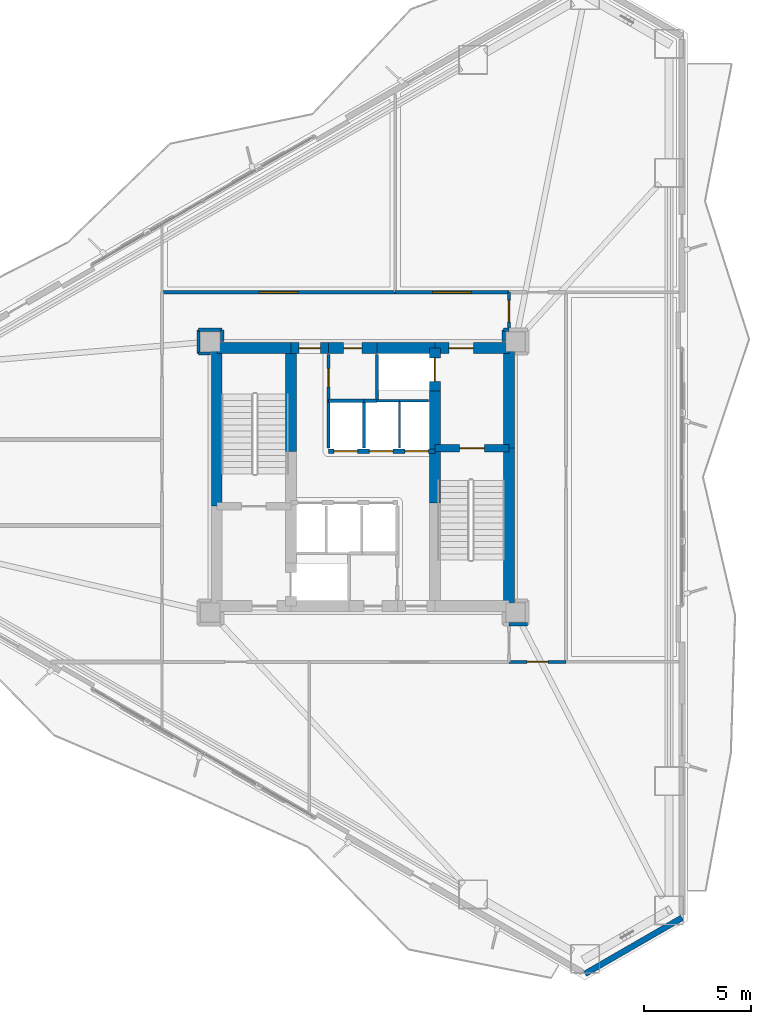
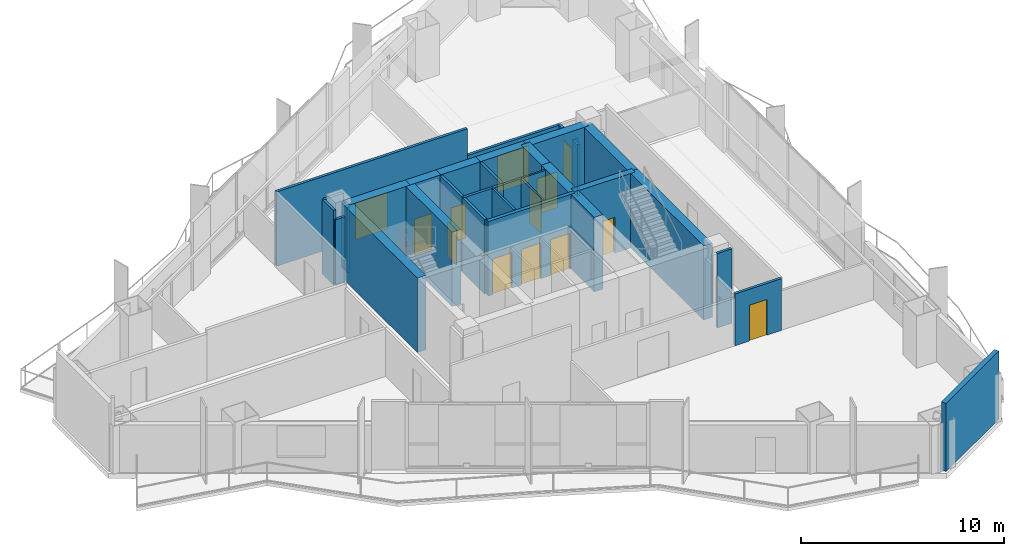
# One storey, part 13 of 16: 35 walls, 13 doors, 13 openings.
"""IFC4 building model written with IfcOpenShell, lengths in metres."""

from ifc_helpers import new_model, si_unit, direction, frame, frame_2d, origin, place, context, subcontext, project, spatial, rectangle, extrude, material, layer, layer_set, type_object, element, fill, save


model = new_model("IFC4")

# Units and contexts
model_context = context("Model", 3, precision=1e-05, world=origin(), true_north=direction((0.0, 1.0)))
body_context = subcontext(model_context, "Body", "Model", "MODEL_VIEW")
ifc_project = project(units=[si_unit("LENGTHUNIT", "METRE"), si_unit("AREAUNIT", "SQUARE_METRE"), si_unit("VOLUMEUNIT", "CUBIC_METRE"), si_unit("PLANEANGLEUNIT", "RADIAN"), si_unit("MASSUNIT", "GRAM", prefix="KILO")], contexts=[model_context])

# Site, building, storey
site_placement = place(None, origin())
site = spatial("IfcSite", under=ifc_project, at=site_placement, CompositionType="ELEMENT")
building_placement = place(site_placement, origin())
building = spatial("IfcBuilding", under=site, at=building_placement, Name="Mersakhor Tower and Convention Hall", CompositionType="ELEMENT")
storey_placement = place(building_placement, frame((0.0, 0.0, 62.10009765625)))
storey = spatial("IfcBuildingStorey", under=building, at=storey_placement, Name="L17", CompositionType="ELEMENT", Elevation=62.10009765625)

# Walls
ifc_material_1 = material(Name="Precast concrete C45/55", Category="concrete")
ifc_layer_1 = layer(ifc_material_1, 0.27490234375)
ifc_layer_set_1 = layer_set([ifc_layer_1], Name="Precast concrete C45/55")
wall_type_1 = type_object("IfcWallType", Name="WL-EXT-275", PredefinedType="SOLIDWALL", material=ifc_layer_set_1)
wall_1_placement = place(storey_placement, frame((43.85009765625, 6.240234375, 0.0), z_axis=(0.0, 0.0, 1.0), x_axis=(-0.866043601342, -0.499968479581, 0.0)))
element("IfcWall", 1, at=wall_1_placement, inside=storey, type_object=wall_type_1, Name="L17 Chamfer Braced Spandrel Wall C2", PredefinedType="SOLIDWALL", context=body_context, shape_type="SweptSolid", body=[
    extrude(rectangle(XDim=5.211181640625, YDim=0.27490234375, at=frame_2d((2.60546875, 0.0))), origin(), (0.0, 0.0, 1.0), 4.099853515625),
])
ifc_material_2 = material(Name="Lightweight gypsum partition", Category="other")
ifc_layer_2 = layer(ifc_material_2, 0.10009765625)
ifc_layer_set_2 = layer_set([ifc_layer_2], Name="Lightweight gypsum partition")
wall_type_2 = type_object("IfcWallType", Name="WL-PRT-100", PredefinedType="PARTITIONING", material=ifc_layer_set_2)
wall_2_placement = place(storey_placement, frame((32.050048828125, 30.300048828125, 0.0), z_axis=(0.0, 0.0, 1.0), x_axis=(-1.0, 0.0, 0.0)))
element("IfcWall", 2, at=wall_2_placement, inside=storey, type_object=wall_type_2, Name="L17 Interior Partition Wall P-004", PredefinedType="PARTITIONING", context=body_context, shape_type="SweptSolid", body=[
    extrude(rectangle(XDim=1.35009765625, YDim=0.10009765625, at=frame_2d((0.675048828125, 0.0))), origin(), (0.0, 0.0, 1.0), 4.47998046875),
])
wall_3_placement = place(storey_placement, frame((30.699951171875, 30.300048828125, 0.0), z_axis=(0.0, 0.0, 1.0), x_axis=(0.0, -1.0, 0.0)))
element("IfcWall", 3, at=wall_3_placement, inside=storey, type_object=wall_type_2, Name="L17 Interior Partition Wall P-016", PredefinedType="PARTITIONING", context=body_context, shape_type="SweptSolid", body=[
    extrude(rectangle(XDim=2.199951171875, YDim=0.10009765625, at=frame_2d((1.10009765625, 0.0))), origin(), (0.0, 0.0, 1.0), 4.47998046875),
])
ifc_material_3 = material(Name="Gypsum board acoustic partition", Category="other")
ifc_layer_3 = layer(ifc_material_3, 0.125)
ifc_layer_set_3 = layer_set([ifc_layer_3], Name="Gypsum board acoustic partition")
wall_type_3 = type_object("IfcWallType", Name="WL-PRT-125", PredefinedType="PARTITIONING", material=ifc_layer_set_3)
wall_4_placement = place(storey_placement, frame((30.699951171875, 30.300048828125, 0.0), z_axis=(0.0, 0.0, 1.0), x_axis=(-1.0, 0.0, 0.0)))
element("IfcWall", 4, at=wall_4_placement, inside=storey, type_object=wall_type_3, Name="L17 Interior Partition Wall P-005", PredefinedType="PARTITIONING", context=body_context, shape_type="SweptSolid", body=[
    extrude(rectangle(XDim=1.050048828125, YDim=0.125, at=frame_2d((0.52490234375, 0.0))), origin(), (0.0, 0.0, 1.0), 4.47998046875),
])
wall_5_placement = place(storey_placement, frame((29.050048828125, 30.300048828125, 0.0), z_axis=(0.0, 0.0, 1.0), x_axis=(0.0, -1.0, 0.0)))
element("IfcWall", 5, at=wall_5_placement, inside=storey, type_object=wall_type_3, Name="L17 Interior Partition Wall P-013", PredefinedType="PARTITIONING", context=body_context, shape_type="SweptSolid", body=[
    extrude(rectangle(XDim=2.199951171875, YDim=0.125, at=frame_2d((1.10009765625, 0.0))), origin(), (0.0, 0.0, 1.0), 4.47998046875),
])
ifc_material_4 = material(Name="Fire-rated gypsum board stud partition", Category="other")
ifc_layer_4 = layer(ifc_material_4, 0.14990234375)
ifc_layer_set_4 = layer_set([ifc_layer_4], Name="Fire-rated gypsum board stud partition")
wall_type_4 = type_object("IfcWallType", Name="WL-PRT-150", PredefinedType="PARTITIONING", material=ifc_layer_set_4)
wall_6_placement = place(storey_placement, frame((29.64990234375, 30.300048828125, 0.0), z_axis=(0.0, 0.0, 1.0), x_axis=(0.0, 1.0, 0.0)))
element("IfcWall", 6, at=wall_6_placement, inside=storey, type_object=wall_type_4, Name="L17 Interior Partition Wall P-006", PredefinedType="PARTITIONING", context=body_context, shape_type="SweptSolid", body=[
    extrude(rectangle(XDim=2.14990234375, YDim=0.14990234375, at=frame_2d((1.074951171875, 0.0))), origin(), (0.0, 0.0, 1.0), 4.47998046875),
])
wall_7_placement = place(storey_placement, frame((27.39990234375, 30.300048828125, 0.0), z_axis=(0.0, 0.0, 1.0), x_axis=(1.0, 0.0, 0.0)))
element("IfcWall", 7, at=wall_7_placement, inside=storey, type_object=wall_type_4, Name="L17 Interior Partition Wall P-012", PredefinedType="PARTITIONING", context=body_context, shape_type="SweptSolid", body=[
    extrude(rectangle(XDim=1.650146484375, YDim=0.14990234375, at=frame_2d((0.8251953125, 0.0))), origin(), (0.0, 0.0, 1.0), 4.47998046875),
])
wall_8_placement = place(storey_placement, frame((27.39990234375, 28.10009765625, 0.0), z_axis=(0.0, 0.0, 1.0), x_axis=(0.0, 1.0, 0.0)))
element("IfcWall", 8, at=wall_8_placement, inside=storey, type_object=wall_type_4, Name="L17 Interior Partition Wall P-014", PredefinedType="PARTITIONING", context=body_context, shape_type="SweptSolid", body=[
    extrude(rectangle(XDim=2.199951171875, YDim=0.14990234375, at=frame_2d((1.10009765625, 0.0))), origin(), (0.0, 0.0, 1.0), 4.47998046875),
])
wall_9_placement = place(storey_placement, frame((29.050048828125, 30.300048828125, 0.0), z_axis=(0.0, 0.0, 1.0), x_axis=(1.0, 0.0, 0.0)))
element("IfcWall", 9, at=wall_9_placement, inside=storey, type_object=wall_type_4, Name="L17 Interior Partition Wall P-015", PredefinedType="PARTITIONING", context=body_context, shape_type="SweptSolid", body=[
    extrude(rectangle(XDim=0.599853515625, YDim=0.14990234375, at=frame_2d((0.2998046875, 0.0))), origin(), (0.0, 0.0, 1.0), 4.47998046875),
])

# Wall, opening, door
wall_10_placement = place(storey_placement, frame((27.39990234375, 32.449951171875, 0.0), z_axis=(0.0, 0.0, 1.0), x_axis=(0.0, -1.0, 0.0)))
wall_10 = element("IfcWall", 10, at=wall_10_placement, inside=storey, type_object=wall_type_4, Name="L17 Interior Partition Wall P-018", PredefinedType="PARTITIONING", context=body_context, shape_type="SweptSolid", body=[
    extrude(rectangle(XDim=2.14990234375, YDim=0.14990234375, at=frame_2d((1.074951171875, 0.0))), origin(), (0.0, 0.0, 1.0), 4.47998046875),
])
opening_1_placement = place(wall_10_placement, frame((0.64990234375, 0.0, 0.0)))
opening_1 = element("IfcOpeningElement", 11, at=opening_1_placement, cuts=wall_10, Name="Opening SVD-01", PredefinedType="OPENING", context=body_context, shape_type="SweptSolid", body=[
    extrude(rectangle(XDim=0.85009765625, YDim=2.10009765625, at=frame_2d((0.425048828125, 1.050048828125))), frame((0.0, 0.0849609375, 0.0), z_axis=(0.0, -1.0, 0.0), x_axis=(1.0, 0.0, 0.0)), (0.0, 0.0, 1.0), 0.169921875),
])
ifc_material_5 = material(Name="Fire-rated hardwood leaf and painted steel frame", Category="steel")
door_type_1 = type_object("IfcDoorType", Name="DR-INT-SVC-085x210", OperationType="NOTDEFINED", PredefinedType="DOOR", material=ifc_material_5)
door_1_placement = place(opening_1_placement, origin())
door_1 = element("IfcDoor", 12, at=door_1_placement, inside=storey, type_object=door_type_1, Name="L17 Central Passenger Lift Lobby to Telecoms and BMS Riser Room Door", OperationType="SINGLE_SWING_LEFT", OverallHeight=2.10009765625, OverallWidth=0.85009765625, PredefinedType="DOOR", context=body_context, shape_type="SweptSolid", body=[
    extrude(rectangle(XDim=0.85009765625, YDim=2.10009765625, at=frame_2d((0.425048828125, 1.050048828125))), frame((0.0, 0.02490234375, 0.0), z_axis=(0.0, -1.0, 0.0), x_axis=(1.0, 0.0, 0.0)), (0.0, 0.0, 1.0), 0.050048828125),
])
fill(opening_1, door_1)

wall_11_placement = place(storey_placement, frame((19.64990234375, 35.35009765625, 0.0), z_axis=(0.0, 0.0, 1.0), x_axis=(1.0, 0.0, 0.0)))
wall_11 = element("IfcWall", 13, at=wall_11_placement, inside=storey, type_object=wall_type_4, Name="L17 Interior Partition Wall P-029", PredefinedType="PARTITIONING", context=body_context, shape_type="SweptSolid", body=[
    extrude(rectangle(XDim=10.85009765625, YDim=0.14990234375, at=frame_2d((5.425048828125, 0.0))), origin(), (0.0, 0.0, 1.0), 4.47998046875),
])
opening_2_placement = place(wall_11_placement, frame((4.52490234375, 0.0, 0.0)))
opening_2 = element("IfcOpeningElement", 14, at=opening_2_placement, cuts=wall_11, Name="Opening HD-01", PredefinedType="OPENING", context=body_context, shape_type="SweptSolid", body=[
    extrude(rectangle(XDim=1.800048828125, YDim=2.199951171875, at=frame_2d((0.89990234375, 1.10009765625))), frame((0.0, 0.0849609375, 0.0), z_axis=(0.0, -1.0, 0.0), x_axis=(1.0, 0.0, 0.0)), (0.0, 0.0, 1.0), 0.169921875),
])
ifc_material_6 = material(Name="Fire-rated hardwood leaf and painted steel frame", Category="steel")
door_type_2 = type_object("IfcDoorType", Name="DR-INT-HALL-180x220", OperationType="NOTDEFINED", PredefinedType="DOOR", material=ifc_material_6)
door_2_placement = place(opening_2_placement, origin())
door_2 = element("IfcDoor", 15, at=door_2_placement, inside=storey, type_object=door_type_2, Name="L17 L17 Sky-Lobby Corridor to Zone 1 Residents Fitness Gymnasium Door", OperationType="DOUBLE_DOOR_SINGLE_SWING", OverallHeight=2.199951171875, OverallWidth=1.800048828125, PredefinedType="DOOR", context=body_context, shape_type="SweptSolid", body=[
    extrude(rectangle(XDim=1.800048828125, YDim=2.199951171875, at=frame_2d((0.89990234375, 1.10009765625))), frame((0.0, 0.02490234375, 0.0), z_axis=(0.0, -1.0, 0.0), x_axis=(1.0, 0.0, 0.0)), (0.0, 0.0, 1.0), 0.050048828125),
])
fill(opening_2, door_2)

wall_12_placement = place(storey_placement, frame((30.5, 35.35009765625, 0.0), z_axis=(0.0, 0.0, 1.0), x_axis=(1.0, 0.0, 0.0)))
wall_12 = element("IfcWall", 16, at=wall_12_placement, inside=storey, type_object=wall_type_4, Name="L17 Interior Partition Wall P-030", PredefinedType="PARTITIONING", context=body_context, shape_type="SweptSolid", body=[
    extrude(rectangle(XDim=5.300048828125, YDim=0.14990234375, at=frame_2d((2.64990234375, 0.0))), origin(), (0.0, 0.0, 1.0), 2.864990234375),
])
opening_3_placement = place(wall_12_placement, frame((1.75, 0.0, 0.0)))
opening_3 = element("IfcOpeningElement", 17, at=opening_3_placement, cuts=wall_12, Name="Opening HD-01", PredefinedType="OPENING", context=body_context, shape_type="SweptSolid", body=[
    extrude(rectangle(XDim=1.800048828125, YDim=2.199951171875, at=frame_2d((0.89990234375, 1.10009765625))), frame((0.0, 0.0849609375, 0.0), z_axis=(0.0, -1.0, 0.0), x_axis=(1.0, 0.0, 0.0)), (0.0, 0.0, 1.0), 0.169921875),
])
door_3_placement = place(opening_3_placement, origin())
door_3 = element("IfcDoor", 18, at=door_3_placement, inside=storey, type_object=door_type_2, Name="L17 L17 Sky-Lobby Corridor to Aerobics and Yoga Studio Door", OperationType="DOUBLE_DOOR_SINGLE_SWING", OverallHeight=2.199951171875, OverallWidth=1.800048828125, PredefinedType="DOOR", context=body_context, shape_type="SweptSolid", body=[
    extrude(rectangle(XDim=1.800048828125, YDim=2.199951171875, at=frame_2d((0.89990234375, 1.10009765625))), frame((0.0, 0.02490234375, 0.0), z_axis=(0.0, -1.0, 0.0), x_axis=(1.0, 0.0, 0.0)), (0.0, 0.0, 1.0), 0.050048828125),
])
fill(opening_3, door_3)

wall_13_placement = place(storey_placement, frame((35.800048828125, 35.35009765625, 0.0), z_axis=(0.0, 0.0, 1.0), x_axis=(0.0, -1.0, 0.0)))
wall_13 = element("IfcWall", 19, at=wall_13_placement, inside=storey, type_object=wall_type_4, Name="L17 Interior Partition Wall P-031", PredefinedType="PARTITIONING", context=body_context, shape_type="SweptSolid", body=[
    extrude(rectangle(XDim=1.75, YDim=0.14990234375, at=frame_2d((0.875, 0.0))), origin(), (0.0, 0.0, 1.0), 2.864990234375),
])
opening_4_placement = place(wall_13_placement, frame((0.375, 0.0, 0.0)))
opening_4 = element("IfcOpeningElement", 20, at=opening_4_placement, cuts=wall_13, Name="Opening FD-01", PredefinedType="OPENING", context=body_context, shape_type="SweptSolid", body=[
    extrude(rectangle(XDim=1.0, YDim=2.14990234375, at=frame_2d((0.5, 1.074951171875))), frame((0.0, 0.0849609375, 0.0), z_axis=(0.0, -1.0, 0.0), x_axis=(1.0, 0.0, 0.0)), (0.0, 0.0, 1.0), 0.169921875),
])
ifc_material_7 = material(Name="Fire-rated hardwood leaf and painted steel frame", Category="steel")
door_type_3 = type_object("IfcDoorType", Name="DR-INT-FLT-100x215", OperationType="NOTDEFINED", PredefinedType="DOOR", material=ifc_material_7)
door_4_placement = place(opening_4_placement, origin())
door_4 = element("IfcDoor", 21, at=door_4_placement, inside=storey, type_object=door_type_3, Name="L17 Ring Corridor Fire Door", OperationType="SINGLE_SWING_LEFT", OverallHeight=2.14990234375, OverallWidth=1.0, PredefinedType="DOOR", context=body_context, shape_type="SweptSolid", body=[
    extrude(rectangle(XDim=1.0, YDim=2.14990234375, at=frame_2d((0.5, 1.074951171875))), frame((0.0, 0.02490234375, 0.0), z_axis=(0.0, -1.0, 0.0), x_axis=(1.0, 0.0, 0.0)), (0.0, 0.0, 1.0), 0.050048828125),
])
fill(opening_4, door_4)

# Walls
wall_14_placement = place(storey_placement, frame((35.800048828125, 33.60009765625, 0.0), z_axis=(0.0, 0.0, 1.0), x_axis=(-1.0, 0.0, 0.0)))
element("IfcWall", 22, at=wall_14_placement, inside=storey, type_object=wall_type_4, Name="L17 Interior Partition Wall P-032", PredefinedType="PARTITIONING", context=body_context, shape_type="SweptSolid", body=[
    extrude(rectangle(XDim=0.25, YDim=0.14990234375, at=frame_2d((0.125, 0.0))), origin(), (0.0, 0.0, 1.0), 3.114990234375),
])
wall_15_placement = place(storey_placement, frame((35.550048828125, 33.60009765625, 0.0), z_axis=(0.0, 0.0, 1.0), x_axis=(0.0, -1.0, 0.0)))
element("IfcWall", 23, at=wall_15_placement, inside=storey, type_object=wall_type_4, Name="L17 Interior Partition Wall P-033", PredefinedType="PARTITIONING", context=body_context, shape_type="SweptSolid", body=[
    extrude(rectangle(XDim=0.550048828125, YDim=0.14990234375, at=frame_2d((0.27490234375, 0.0))), origin(), (0.0, 0.0, 1.0), 3.114990234375),
])
wall_16_placement = place(storey_placement, frame((22.449951171875, 33.050048828125, 0.0), z_axis=(0.0, 0.0, 1.0), x_axis=(0.0, 1.0, 0.0)))
element("IfcWall", 24, at=wall_16_placement, inside=storey, type_object=wall_type_4, Name="L17 Interior Partition Wall P-034", PredefinedType="PARTITIONING", context=body_context, shape_type="SweptSolid", body=[
    extrude(rectangle(XDim=0.550048828125, YDim=0.14990234375, at=frame_2d((0.27490234375, 0.0))), origin(), (0.0, 0.0, 1.0), 3.92822265625),
])
wall_17_placement = place(storey_placement, frame((22.449951171875, 33.60009765625, 0.0), z_axis=(0.0, 0.0, 1.0), x_axis=(-1.0, 0.0, 0.0)))
element("IfcWall", 25, at=wall_17_placement, inside=storey, type_object=wall_type_4, Name="L17 Interior Partition Wall P-035", PredefinedType="PARTITIONING", context=body_context, shape_type="SweptSolid", body=[
    extrude(rectangle(XDim=1.099853515625, YDim=0.14990234375, at=frame_2d((0.5498046875, 0.0))), origin(), (0.0, 0.0, 1.0), 4.47998046875),
])
wall_18_placement = place(storey_placement, frame((21.35009765625, 33.60009765625, 0.0), z_axis=(0.0, 0.0, 1.0), x_axis=(0.0, -1.0, 0.0)))
element("IfcWall", 26, at=wall_18_placement, inside=storey, type_object=wall_type_4, Name="L17 Interior Partition Wall P-036", PredefinedType="PARTITIONING", context=body_context, shape_type="SweptSolid", body=[
    extrude(rectangle(XDim=1.10009765625, YDim=0.14990234375, at=frame_2d((0.550048828125, 0.0))), origin(), (0.0, 0.0, 1.0), 4.47998046875),
])
wall_19_placement = place(storey_placement, frame((21.35009765625, 32.5, 0.0), z_axis=(0.0, 0.0, 1.0), x_axis=(1.0, 0.0, 0.0)))
element("IfcWall", 27, at=wall_19_placement, inside=storey, type_object=wall_type_4, Name="L17 Interior Partition Wall P-037", PredefinedType="PARTITIONING", context=body_context, shape_type="SweptSolid", body=[
    extrude(rectangle(XDim=0.5498046875, YDim=0.14990234375, at=frame_2d((0.27490234375, 0.0))), origin(), (0.0, 0.0, 1.0), 3.92822265625),
])

# Wall, opening, door
wall_20_placement = place(storey_placement, frame((38.449951171875, 18.14990234375, 0.0), z_axis=(0.0, 0.0, 1.0), x_axis=(-1.0, 0.0, 0.0)))
wall_20 = element("IfcWall", 28, at=wall_20_placement, inside=storey, type_object=wall_type_4, Name="L17 Interior Partition Wall P-046", PredefinedType="PARTITIONING", context=body_context, shape_type="SweptSolid", body=[
    extrude(rectangle(XDim=2.64990234375, YDim=0.14990234375, at=frame_2d((1.324951171875, 0.0))), origin(), (0.0, 0.0, 1.0), 3.114990234375),
])
opening_5_placement = place(wall_20_placement, frame((0.824951171875, 0.0, 0.0)))
opening_5 = element("IfcOpeningElement", 29, at=opening_5_placement, cuts=wall_20, Name="Opening FD-01", PredefinedType="OPENING", context=body_context, shape_type="SweptSolid", body=[
    extrude(rectangle(XDim=1.0, YDim=2.14990234375, at=frame_2d((0.5, 1.074951171875))), frame((0.0, 0.0849609375, 0.0), z_axis=(0.0, -1.0, 0.0), x_axis=(1.0, 0.0, 0.0)), (0.0, 0.0, 1.0), 0.169921875),
])
door_5_placement = place(opening_5_placement, origin())
door_5 = element("IfcDoor", 30, at=door_5_placement, inside=storey, type_object=door_type_3, Name="L17 L17 Sky-Lobby East Corridor to Community Tea Dining Hall Door", OperationType="SINGLE_SWING_LEFT", OverallHeight=2.14990234375, OverallWidth=1.0, PredefinedType="DOOR", context=body_context, shape_type="SweptSolid", body=[
    extrude(rectangle(XDim=1.0, YDim=2.14990234375, at=frame_2d((0.5, 1.074951171875))), frame((0.0, 0.02490234375, 0.0), z_axis=(0.0, -1.0, 0.0), x_axis=(1.0, 0.0, 0.0)), (0.0, 0.0, 1.0), 0.050048828125),
])
fill(opening_5, door_5)

# Wall
wall_21_placement = place(storey_placement, frame((35.800048828125, 19.89990234375, 0.0), z_axis=(0.0, 0.0, 1.0), x_axis=(1.0, 0.0, 0.0)))
element("IfcWall", 31, at=wall_21_placement, inside=storey, type_object=wall_type_4, Name="L17 Interior Partition Wall P-047", PredefinedType="PARTITIONING", context=body_context, shape_type="SweptSolid", body=[
    extrude(rectangle(XDim=0.849853515625, YDim=0.14990234375, at=frame_2d((0.4248046875, 0.0))), origin(), (0.0, 0.0, 1.0), 4.47998046875),
])

# Wall, openings, doors
ifc_material_8 = material(Name="Acoustic concrete blockwork and gypsum board", Category="masonry")
ifc_layer_5 = layer(ifc_material_8, 0.199951171875)
ifc_layer_set_5 = layer_set([ifc_layer_5], Name="Acoustic concrete blockwork and gypsum board")
wall_type_5 = type_object("IfcWallType", Name="WL-PRT-200", PredefinedType="PARTITIONING", material=ifc_layer_set_5)
wall_22_placement = place(storey_placement, frame((27.39990234375, 27.949951171875, 0.0), z_axis=(0.0, 0.0, 1.0), x_axis=(1.0, 0.0, 0.0)))
wall_22 = element("IfcWall", 32, at=wall_22_placement, inside=storey, type_object=wall_type_5, Name="L17 Low-Rise Lift Bank Front Wall", PredefinedType="PARTITIONING", context=body_context, shape_type="SweptSolid", body=[
    extrude(rectangle(XDim=4.9501953125, YDim=0.199951171875, at=frame_2d((2.47509765625, 0.0))), origin(), (0.0, 0.0, 1.0), 4.47998046875),
])
opening_6_placement = place(wall_22_placement, frame((0.25, 0.0, 0.0)))
opening_6 = element("IfcOpeningElement", 33, at=opening_6_placement, cuts=wall_22, Name="Opening LD-P1", PredefinedType="OPENING", context=body_context, shape_type="SweptSolid", body=[
    extrude(rectangle(XDim=1.10009765625, YDim=2.14990234375, at=frame_2d((0.550048828125, 1.074951171875))), frame((0.0, 0.10986328125, 0.0), z_axis=(0.0, -1.0, 0.0), x_axis=(1.0, 0.0, 0.0)), (0.0, 0.0, 1.0), 0.219970703125),
])
opening_7_placement = place(wall_22_placement, frame((1.89990234375, 0.0, 0.0)))
opening_7 = element("IfcOpeningElement", 34, at=opening_7_placement, cuts=wall_22, Name="Opening LD-P2", PredefinedType="OPENING", context=body_context, shape_type="SweptSolid", body=[
    extrude(rectangle(XDim=1.10009765625, YDim=2.14990234375, at=frame_2d((0.550048828125, 1.074951171875))), frame((0.0, 0.10986328125, 0.0), z_axis=(0.0, -1.0, 0.0), x_axis=(1.0, 0.0, 0.0)), (0.0, 0.0, 1.0), 0.219970703125),
])
opening_8_placement = place(wall_22_placement, frame((3.550048828125, 0.0, 0.0)))
opening_8 = element("IfcOpeningElement", 35, at=opening_8_placement, cuts=wall_22, Name="Opening LD-P3", PredefinedType="OPENING", context=body_context, shape_type="SweptSolid", body=[
    extrude(rectangle(XDim=1.10009765625, YDim=2.14990234375, at=frame_2d((0.550048828125, 1.074951171875))), frame((0.0, 0.10986328125, 0.0), z_axis=(0.0, -1.0, 0.0), x_axis=(1.0, 0.0, 0.0)), (0.0, 0.0, 1.0), 0.219970703125),
])
ifc_material_9 = material(Name="Fire-rated brushed stainless steel sliding landing door", Category="steel")
door_type_4 = type_object("IfcDoorType", Name="DR-LIFT-SLD-110x215", OperationType="NOTDEFINED", PredefinedType="DOOR", material=ifc_material_9)
door_6_placement = place(opening_6_placement, origin())
door_6 = element("IfcDoor", 36, at=door_6_placement, inside=storey, type_object=door_type_4, Name="L17 Lift Landing Door LD-P1", OperationType="SLIDING_TO_LEFT", OverallHeight=2.14990234375, OverallWidth=1.10009765625, PredefinedType="DOOR", context=body_context, shape_type="SweptSolid", body=[
    extrude(rectangle(XDim=1.10009765625, YDim=2.14990234375, at=frame_2d((0.550048828125, 1.074951171875))), frame((0.0, 0.02490234375, 0.0), z_axis=(0.0, -1.0, 0.0), x_axis=(1.0, 0.0, 0.0)), (0.0, 0.0, 1.0), 0.050048828125),
])
fill(opening_6, door_6)
door_7_placement = place(opening_7_placement, origin())
door_7 = element("IfcDoor", 37, at=door_7_placement, inside=storey, type_object=door_type_4, Name="L17 Lift Landing Door LD-P2", OperationType="SLIDING_TO_LEFT", OverallHeight=2.14990234375, OverallWidth=1.10009765625, PredefinedType="DOOR", context=body_context, shape_type="SweptSolid", body=[
    extrude(rectangle(XDim=1.10009765625, YDim=2.14990234375, at=frame_2d((0.550048828125, 1.074951171875))), frame((0.0, 0.02490234375, 0.0), z_axis=(0.0, -1.0, 0.0), x_axis=(1.0, 0.0, 0.0)), (0.0, 0.0, 1.0), 0.050048828125),
])
fill(opening_7, door_7)
door_8_placement = place(opening_8_placement, origin())
door_8 = element("IfcDoor", 38, at=door_8_placement, inside=storey, type_object=door_type_4, Name="L17 Lift Landing Door LD-P3", OperationType="SLIDING_TO_LEFT", OverallHeight=2.14990234375, OverallWidth=1.10009765625, PredefinedType="DOOR", context=body_context, shape_type="SweptSolid", body=[
    extrude(rectangle(XDim=1.10009765625, YDim=2.14990234375, at=frame_2d((0.550048828125, 1.074951171875))), frame((0.0, 0.02490234375, 0.0), z_axis=(0.0, -1.0, 0.0), x_axis=(1.0, 0.0, 0.0)), (0.0, 0.0, 1.0), 0.050048828125),
])
fill(opening_8, door_8)

# Wall, opening, door
ifc_material_10 = material(Name="Concrete C50/60", Category="concrete")
ifc_layer_6 = layer(ifc_material_10, 0.35009765625)
ifc_layer_set_6 = layer_set([ifc_layer_6], Name="Concrete C50/60")
wall_type_6 = type_object("IfcWallType", Name="WL-SHR-350", PredefinedType="SHEAR", material=ifc_layer_set_6)
wall_23_placement = place(storey_placement, frame((32.35009765625, 28.10009765625, 0.0), z_axis=(0.0, 0.0, 1.0), x_axis=(1.0, 0.0, 0.0)))
wall_23 = element("IfcWall", 39, at=wall_23_placement, inside=storey, type_object=wall_type_6, Name="L17 Core Wall CS-ST2-N", PredefinedType="SHEAR", context=body_context, shape_type="SweptSolid", body=[
    extrude(rectangle(XDim=3.449951171875, YDim=0.35009765625, at=frame_2d((1.72509765625, 0.0))), origin(), (0.0, 0.0, 1.0), 4.47998046875),
])
opening_9_placement = place(wall_23_placement, frame((1.14990234375, 0.0, 0.0)))
opening_9 = element("IfcOpeningElement", 40, at=opening_9_placement, cuts=wall_23, Name="Opening SD-01", PredefinedType="OPENING", context=body_context, shape_type="SweptSolid", body=[
    extrude(rectangle(XDim=1.14990234375, YDim=2.14990234375, at=frame_2d((0.574951171875, 1.074951171875))), frame((0.0, 0.18505859375, 0.0), z_axis=(0.0, -1.0, 0.0), x_axis=(1.0, 0.0, 0.0)), (0.0, 0.0, 1.0), 0.3701171875),
])
ifc_material_11 = material(Name="Fire-rated hardwood leaf and painted steel frame", Category="steel")
door_type_5 = type_object("IfcDoorType", Name="DR-INT-STAIR-115x215", OperationType="NOTDEFINED", PredefinedType="DOOR", material=ifc_material_11)
door_9_placement = place(opening_9_placement, origin())
door_9 = element("IfcDoor", 41, at=door_9_placement, inside=storey, type_object=door_type_5, Name="L17 Exit Stair ST-2 Enclosure Door", OperationType="SINGLE_SWING_RIGHT", OverallHeight=2.14990234375, OverallWidth=1.14990234375, PredefinedType="DOOR", context=body_context, shape_type="SweptSolid", body=[
    extrude(rectangle(XDim=1.14990234375, YDim=2.14990234375, at=frame_2d((0.574951171875, 1.074951171875))), frame((0.0, 0.02490234375, 0.0), z_axis=(0.0, -1.0, 0.0), x_axis=(1.0, 0.0, 0.0)), (0.0, 0.0, 1.0), 0.050048828125),
])
fill(opening_9, door_9)

# Walls
ifc_material_12 = material(Name="Concrete C70/85", Category="concrete")
ifc_layer_7 = layer(ifc_material_12, 0.5)
ifc_layer_set_7 = layer_set([ifc_layer_7], Name="Concrete C70/85")
wall_type_7 = type_object("IfcWallType", Name="WL-SHR-500", PredefinedType="SHEAR", material=ifc_layer_set_7)
wall_24_placement = place(storey_placement, frame((22.199951171875, 25.39990234375, 0.0), z_axis=(0.0, 0.0, 1.0), x_axis=(0.0, 1.0, 0.0)))
element("IfcWall", 42, at=wall_24_placement, inside=storey, type_object=wall_type_7, Name="L17 Core Wall CW-W2", PredefinedType="SHEAR", context=body_context, shape_type="SweptSolid", body=[
    extrude(rectangle(XDim=7.35009765625, YDim=0.5, at=frame_2d((3.675048828125, 0.0))), origin(), (0.0, 0.0, 1.0), 4.47998046875),
])
wall_25_placement = place(storey_placement, frame((22.199951171875, 32.75, 0.0), z_axis=(0.0, 0.0, 1.0), x_axis=(1.0, 0.0, 0.0)))
element("IfcWall", 43, at=wall_25_placement, inside=storey, type_object=wall_type_7, Name="L17 Core Wall CW-N1", PredefinedType="SHEAR", context=body_context, shape_type="SweptSolid", body=[
    extrude(rectangle(XDim=3.449951171875, YDim=0.5, at=frame_2d((1.72509765625, 0.0))), origin(), (0.0, 0.0, 1.0), 4.47998046875),
])

# Wall, opening, door
wall_26_placement = place(storey_placement, frame((25.64990234375, 32.75, 0.0), z_axis=(0.0, 0.0, 1.0), x_axis=(1.0, 0.0, 0.0)))
wall_26 = element("IfcWall", 44, at=wall_26_placement, inside=storey, type_object=wall_type_7, Name="L17 Core Wall CW-N2A", PredefinedType="SHEAR", context=body_context, shape_type="SweptSolid", body=[
    extrude(rectangle(XDim=1.75, YDim=0.5, at=frame_2d((0.875, 0.0))), origin(), (0.0, 0.0, 1.0), 4.47998046875),
])
opening_10_placement = place(wall_26_placement, frame((0.375, 0.0, 0.0)))
opening_10 = element("IfcOpeningElement", 45, at=opening_10_placement, cuts=wall_26, Name="Opening CFD-01", PredefinedType="OPENING", context=body_context, shape_type="SweptSolid", body=[
    extrude(rectangle(XDim=1.0, YDim=2.14990234375, at=frame_2d((0.5, 1.074951171875))), frame((0.0, 0.260009765625, 0.0), z_axis=(0.0, -1.0, 0.0), x_axis=(1.0, 0.0, 0.0)), (0.0, 0.0, 1.0), 0.52001953125),
])
ifc_material_13 = material(Name="Fire-rated hardwood leaf and painted steel frame", Category="steel")
door_type_6 = type_object("IfcDoorType", Name="DR-CORE-FD-100x215", OperationType="NOTDEFINED", PredefinedType="DOOR", material=ifc_material_13)
door_10_placement = place(opening_10_placement, origin())
door_10 = element("IfcDoor", 46, at=door_10_placement, inside=storey, type_object=door_type_6, Name="L17 Lift Lobby North Corridor Door", OperationType="SINGLE_SWING_LEFT", OverallHeight=2.14990234375, OverallWidth=1.0, PredefinedType="DOOR", context=body_context, shape_type="SweptSolid", body=[
    extrude(rectangle(XDim=1.0, YDim=2.14990234375, at=frame_2d((0.5, 1.074951171875))), frame((0.0, 0.02490234375, 0.0), z_axis=(0.0, -1.0, 0.0), x_axis=(1.0, 0.0, 0.0)), (0.0, 0.0, 1.0), 0.050048828125),
])
fill(opening_10, door_10)

wall_27_placement = place(storey_placement, frame((27.39990234375, 32.75, 0.0), z_axis=(0.0, 0.0, 1.0), x_axis=(1.0, 0.0, 0.0)))
wall_27 = element("IfcWall", 47, at=wall_27_placement, inside=storey, type_object=wall_type_7, Name="L17 Core Wall CW-N2B", PredefinedType="SHEAR", context=body_context, shape_type="SweptSolid", body=[
    extrude(rectangle(XDim=2.25, YDim=0.5, at=frame_2d((1.125, 0.0))), origin(), (0.0, 0.0, 1.0), 4.47998046875),
])
opening_11_placement = place(wall_27_placement, frame((0.699951171875, 0.0, 0.0)))
opening_11 = element("IfcOpeningElement", 48, at=opening_11_placement, cuts=wall_27, Name="Opening SVD-01", PredefinedType="OPENING", context=body_context, shape_type="SweptSolid", body=[
    extrude(rectangle(XDim=0.85009765625, YDim=2.10009765625, at=frame_2d((0.425048828125, 1.050048828125))), frame((0.0, 0.260009765625, 0.0), z_axis=(0.0, -1.0, 0.0), x_axis=(1.0, 0.0, 0.0)), (0.0, 0.0, 1.0), 0.52001953125),
])
door_11_placement = place(opening_11_placement, origin())
door_11 = element("IfcDoor", 49, at=door_11_placement, inside=storey, type_object=door_type_1, Name="L17 L17 Sky-Lobby Corridor to Telecoms and BMS Riser Room Door", OperationType="SINGLE_SWING_RIGHT", OverallHeight=2.10009765625, OverallWidth=0.85009765625, PredefinedType="DOOR", context=body_context, shape_type="SweptSolid", body=[
    extrude(rectangle(XDim=0.85009765625, YDim=2.10009765625, at=frame_2d((0.425048828125, 1.050048828125))), frame((0.0, 0.02490234375, 0.0), z_axis=(0.0, -1.0, 0.0), x_axis=(1.0, 0.0, 0.0)), (0.0, 0.0, 1.0), 0.050048828125),
])
fill(opening_11, door_11)

# Wall
wall_28_placement = place(storey_placement, frame((29.64990234375, 32.75, 0.0), z_axis=(0.0, 0.0, 1.0), x_axis=(1.0, 0.0, 0.0)))
element("IfcWall", 50, at=wall_28_placement, inside=storey, type_object=wall_type_7, Name="L17 Core Wall CW-N3", PredefinedType="SHEAR", context=body_context, shape_type="SweptSolid", body=[
    extrude(rectangle(XDim=2.7001953125, YDim=0.5, at=frame_2d((1.35009765625, 0.0))), origin(), (0.0, 0.0, 1.0), 4.47998046875),
])

# Wall, opening, door
wall_29_placement = place(storey_placement, frame((32.35009765625, 32.75, 0.0), z_axis=(0.0, 0.0, 1.0), x_axis=(1.0, 0.0, 0.0)))
wall_29 = element("IfcWall", 51, at=wall_29_placement, inside=storey, type_object=wall_type_7, Name="L17 Core Wall CW-N4", PredefinedType="SHEAR", context=body_context, shape_type="SweptSolid", body=[
    extrude(rectangle(XDim=3.449951171875, YDim=0.5, at=frame_2d((1.72509765625, 0.0))), origin(), (0.0, 0.0, 1.0), 4.47998046875),
])
opening_12_placement = place(wall_29_placement, frame((0.64990234375, 0.0, 0.0)))
opening_12 = element("IfcOpeningElement", 52, at=opening_12_placement, cuts=wall_29, Name="Opening SD-01", PredefinedType="OPENING", context=body_context, shape_type="SweptSolid", body=[
    extrude(rectangle(XDim=1.14990234375, YDim=2.14990234375, at=frame_2d((0.574951171875, 1.074951171875))), frame((0.0, 0.260009765625, 0.0), z_axis=(0.0, -1.0, 0.0), x_axis=(1.0, 0.0, 0.0)), (0.0, 0.0, 1.0), 0.52001953125),
])
door_12_placement = place(opening_12_placement, origin())
door_12 = element("IfcDoor", 53, at=door_12_placement, inside=storey, type_object=door_type_5, Name="L17 Firefighting Lobby East Fire Door", OperationType="SINGLE_SWING_RIGHT", OverallHeight=2.14990234375, OverallWidth=1.14990234375, PredefinedType="DOOR", context=body_context, shape_type="SweptSolid", body=[
    extrude(rectangle(XDim=1.14990234375, YDim=2.14990234375, at=frame_2d((0.574951171875, 1.074951171875))), frame((0.0, 0.02490234375, 0.0), z_axis=(0.0, -1.0, 0.0), x_axis=(1.0, 0.0, 0.0)), (0.0, 0.0, 1.0), 0.050048828125),
])
fill(opening_12, door_12)

# Walls
wall_30_placement = place(storey_placement, frame((35.800048828125, 32.75, 0.0), z_axis=(0.0, 0.0, 1.0), x_axis=(0.0, -1.0, 0.0)))
element("IfcWall", 54, at=wall_30_placement, inside=storey, type_object=wall_type_7, Name="L17 Core Wall CW-E1", PredefinedType="SHEAR", context=body_context, shape_type="SweptSolid", body=[
    extrude(rectangle(XDim=4.64990234375, YDim=0.5, at=frame_2d((2.324951171875, 0.0))), origin(), (0.0, 0.0, 1.0), 4.47998046875),
])
wall_31_placement = place(storey_placement, frame((35.800048828125, 28.10009765625, 0.0), z_axis=(0.0, 0.0, 1.0), x_axis=(0.0, -1.0, 0.0)))
element("IfcWall", 55, at=wall_31_placement, inside=storey, type_object=wall_type_7, Name="L17 Core Wall CW-E2", PredefinedType="SHEAR", context=body_context, shape_type="SweptSolid", body=[
    extrude(rectangle(XDim=7.35009765625, YDim=0.5, at=frame_2d((3.675048828125, 0.0))), origin(), (0.0, 0.0, 1.0), 4.47998046875),
])
wall_32_placement = place(storey_placement, frame((25.64990234375, 27.949951171875, 0.0), z_axis=(0.0, 0.0, 1.0), x_axis=(0.0, 1.0, 0.0)))
element("IfcWall", 56, at=wall_32_placement, inside=storey, type_object=wall_type_7, Name="L17 Core Wall CS-W-ST1", PredefinedType="SHEAR", context=body_context, shape_type="SweptSolid", body=[
    extrude(rectangle(XDim=4.800048828125, YDim=0.5, at=frame_2d((2.39990234375, 0.0))), origin(), (0.0, 0.0, 1.0), 4.47998046875),
])
wall_33_placement = place(storey_placement, frame((32.35009765625, 25.550048828125, 0.0), z_axis=(0.0, 0.0, 1.0), x_axis=(0.0, 1.0, 0.0)))
element("IfcWall", 57, at=wall_33_placement, inside=storey, type_object=wall_type_7, Name="L17 Core Wall CS-E-LOB", PredefinedType="SHEAR", context=body_context, shape_type="SweptSolid", body=[
    extrude(rectangle(XDim=2.39990234375, YDim=0.5, at=frame_2d((1.199951171875, 0.0))), origin(), (0.0, 0.0, 1.0), 4.47998046875),
])
wall_34_placement = place(storey_placement, frame((32.35009765625, 27.949951171875, 0.0), z_axis=(0.0, 0.0, 1.0), x_axis=(0.0, 1.0, 0.0)))
element("IfcWall", 58, at=wall_34_placement, inside=storey, type_object=wall_type_7, Name="L17 Core Wall CS-E-MID", PredefinedType="SHEAR", context=body_context, shape_type="SweptSolid", body=[
    extrude(rectangle(XDim=2.800048828125, YDim=0.5, at=frame_2d((1.39990234375, 0.0))), origin(), (0.0, 0.0, 1.0), 4.47998046875),
])

# Wall, opening, door
wall_35_placement = place(storey_placement, frame((32.35009765625, 30.75, 0.0), z_axis=(0.0, 0.0, 1.0), x_axis=(0.0, 1.0, 0.0)))
wall_35 = element("IfcWall", 59, at=wall_35_placement, inside=storey, type_object=wall_type_7, Name="L17 Core Wall CS-E-FFL", PredefinedType="SHEAR", context=body_context, shape_type="SweptSolid", body=[
    extrude(rectangle(XDim=2.0, YDim=0.5, at=frame_2d((1.0, 0.0))), origin(), (0.0, 0.0, 1.0), 4.47998046875),
])
opening_13_placement = place(wall_35_placement, frame((0.449951171875, 0.0, 0.0)))
opening_13 = element("IfcOpeningElement", 60, at=opening_13_placement, cuts=wall_35, Name="Opening LD-FFL2", PredefinedType="OPENING", context=body_context, shape_type="SweptSolid", body=[
    extrude(rectangle(XDim=1.10009765625, YDim=2.14990234375, at=frame_2d((0.550048828125, 1.074951171875))), frame((0.0, 0.260009765625, 0.0), z_axis=(0.0, -1.0, 0.0), x_axis=(1.0, 0.0, 0.0)), (0.0, 0.0, 1.0), 0.52001953125),
])
door_13_placement = place(opening_13_placement, origin())
door_13 = element("IfcDoor", 61, at=door_13_placement, inside=storey, type_object=door_type_4, Name="L17 Firefighting Lift Landing Door LD-FFL2", OperationType="SLIDING_TO_LEFT", OverallHeight=2.14990234375, OverallWidth=1.10009765625, PredefinedType="DOOR", context=body_context, shape_type="SweptSolid", body=[
    extrude(rectangle(XDim=1.10009765625, YDim=2.14990234375, at=frame_2d((0.550048828125, 1.074951171875))), frame((0.0, 0.02490234375, 0.0), z_axis=(0.0, -1.0, 0.0), x_axis=(1.0, 0.0, 0.0)), (0.0, 0.0, 1.0), 0.050048828125),
])
fill(opening_13, door_13)

save(model, "model.ifc")
